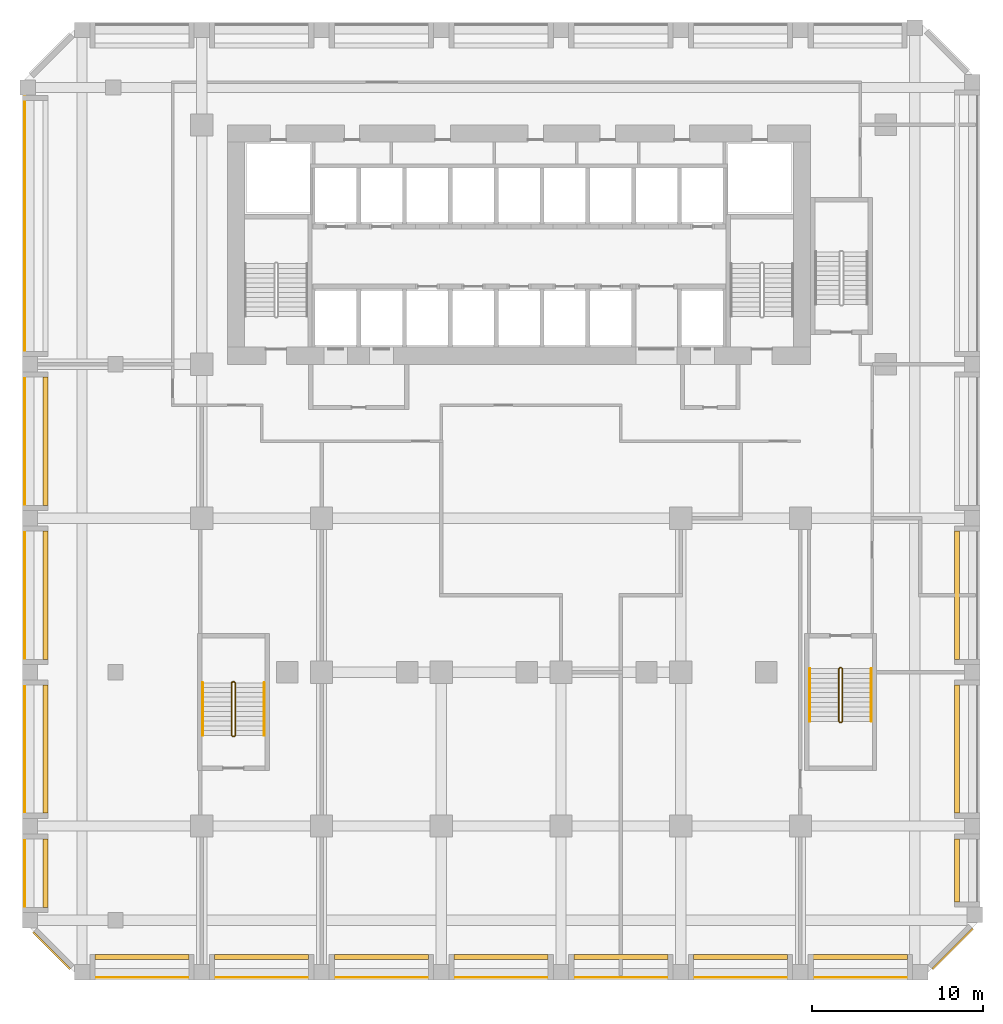
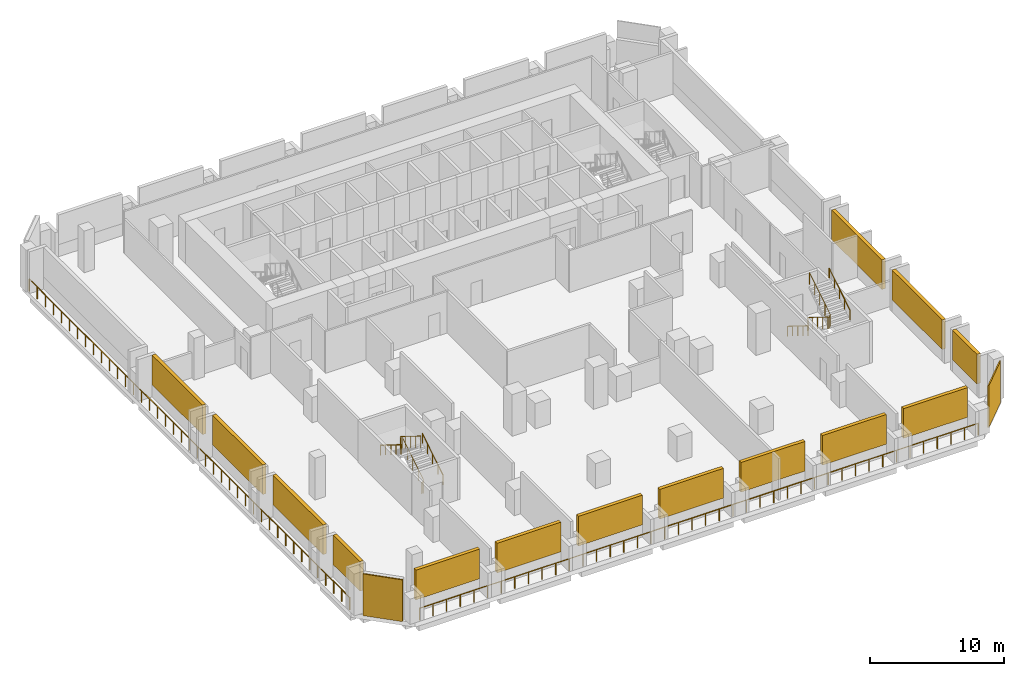
# One storey, part 8 of 10: 16 shading devices, 8 railings.
"""IFC4 building model written with IfcOpenShell, lengths in metres."""

from ifc_helpers import new_model, si_unit, direction, frame, origin, origin_2d, place, context, subcontext, project, spatial, rectangle, circle, extrude, source, transform, mapped, material, layer, layer_set, type_object, element, save


model = new_model("IFC4")

# Units and contexts
model_context = context("Model", 3, precision=1e-05, world=origin(), true_north=direction((0.0, 1.0)))
body_context = subcontext(model_context, "Body", "Model", "MODEL_VIEW")
ifc_project = project(units=[si_unit("LENGTHUNIT", "METRE"), si_unit("AREAUNIT", "SQUARE_METRE"), si_unit("VOLUMEUNIT", "CUBIC_METRE"), si_unit("PLANEANGLEUNIT", "RADIAN"), si_unit("MASSUNIT", "GRAM", prefix="KILO")], contexts=[model_context])

# Site, building, storey
site_placement = place(None, origin())
site = spatial("IfcSite", under=ifc_project, at=site_placement, CompositionType="ELEMENT")
building_placement = place(site_placement, origin())
building = spatial("IfcBuilding", under=site, at=building_placement, Name="Kilnfold Tower and Market Hall", CompositionType="ELEMENT")
storey_placement = place(building_placement, frame((0.0, 0.0, 59.0)))
storey = spatial("IfcBuildingStorey", under=building, at=storey_placement, Name="L13 Plant Transfer Level", CompositionType="ELEMENT", Elevation=59.0)

# Railings
ifc_material_1 = material(Name="Stainless steel 316", Category="steel")
railing_type_1 = type_object("IfcRailingType", Name="CORE STAIR GUARD 1100", PredefinedType="GUARDRAIL", material=ifc_material_1)
railing_1_placement = place(storey_placement, frame((-15.699951171875, -13.75, 0.0)))
element("IfcRailing", 1, at=railing_1_placement, inside=storey, type_object=railing_type_1, Name="L13 Plant Transfer Level ST3 stair guard 1", PredefinedType="GUARDRAIL", context=body_context, shape_type="SweptSolid", body=[
    extrude(circle(Radius=0.02392578125, at=origin_2d()), frame((0.0, 0.0, 1.076171875), z_axis=(1.0, 0.0, 0.0), x_axis=(0.0, 1.0, 0.0)), (0.0, 0.0, 1.0), 0.099853515625),
    extrude(circle(Radius=0.02392578125, at=origin_2d()), frame((0.099853515625, 0.0, 1.076171875), z_axis=(0.265065253269, 0.265065253269, 0.927081885822), x_axis=(-0.707106781187, 0.707106781187, 0.0)), (0.0, 0.0, 1.0), 0.188720703125),
    extrude(circle(Radius=0.02392578125, at=origin_2d()), frame((0.14990234375, 0.050048828125, 1.2509765625), z_axis=(0.0, 0.847979421464, 0.530029150871), x_axis=(-1.0, 0.0, 0.0)), (0.0, 0.0, 1.0), 3.632080078125),
    extrude(circle(Radius=0.02392578125, at=origin_2d()), frame((0.14990234375, 3.1298828125, 3.17626953125), z_axis=(-0.707106781187, 0.707106781187, 0.0), x_axis=(-0.707106781187, -0.707106781187, 0.0)), (0.0, 0.0, 1.0), 0.07080078125),
    extrude(circle(Radius=0.02392578125, at=origin_2d()), frame((0.099853515625, 3.179931640625, 3.17626953125), z_axis=(-1.0, 0.0, 0.0), x_axis=(0.0, -1.0, 0.0)), (0.0, 0.0, 1.0), 0.099853515625),
    extrude(circle(Radius=0.02392578125, at=origin_2d()), frame((0.0, 3.179931640625, 3.17626953125), z_axis=(-0.265383341853, -0.265383341853, 0.926899867156), x_axis=(0.707106781187, -0.707106781187, 0.0)), (0.0, 0.0, 1.0), 0.1884765625),
    extrude(circle(Radius=0.02392578125, at=origin_2d()), frame((-0.050048828125, 3.1298828125, 3.35107421875), z_axis=(0.0, -0.847979421464, 0.530029150871), x_axis=(1.0, 0.0, 0.0)), (0.0, 0.0, 1.0), 3.632080078125),
    extrude(circle(Radius=0.02099609375, at=origin_2d()), origin(), (0.0, 0.0, 1.0), 1.052001953125),
    extrude(circle(Radius=0.02099609375, at=origin_2d()), frame((0.099853515625, 0.0, 0.0)), (0.0, 0.0, 1.0), 1.052001953125),
    extrude(circle(Radius=0.02099609375, at=origin_2d()), frame((0.14990234375, 0.050048828125, 0.175048828125)), (0.0, 0.0, 1.0), 1.052001953125),
    extrude(circle(Radius=0.02099609375, at=origin_2d()), frame((0.14990234375, 0.820068359375, 0.65625)), (0.0, 0.0, 1.0), 1.052001953125),
    extrude(circle(Radius=0.02099609375, at=origin_2d()), frame((0.14990234375, 1.58984375, 1.1376953125)), (0.0, 0.0, 1.0), 1.052001953125),
    extrude(circle(Radius=0.02099609375, at=origin_2d()), frame((0.14990234375, 2.35986328125, 1.618896484375)), (0.0, 0.0, 1.0), 1.052001953125),
    extrude(circle(Radius=0.02099609375, at=origin_2d()), frame((0.14990234375, 3.1298828125, 2.10009765625)), (0.0, 0.0, 1.0), 1.052001953125),
    extrude(circle(Radius=0.02099609375, at=origin_2d()), frame((0.099853515625, 3.179931640625, 2.10009765625)), (0.0, 0.0, 1.0), 1.052001953125),
    extrude(circle(Radius=0.02099609375, at=origin_2d()), frame((0.0, 3.179931640625, 2.10009765625)), (0.0, 0.0, 1.0), 1.052001953125),
    extrude(circle(Radius=0.02099609375, at=origin_2d()), frame((-0.050048828125, 3.1298828125, 2.27490234375)), (0.0, 0.0, 1.0), 1.052001953125),
    extrude(circle(Radius=0.02099609375, at=origin_2d()), frame((-0.050048828125, 2.35986328125, 2.756103515625)), (0.0, 0.0, 1.0), 1.052001953125),
    extrude(circle(Radius=0.02099609375, at=origin_2d()), frame((-0.050048828125, 1.58984375, 3.2373046875)), (0.0, 0.0, 1.0), 1.052001953125),
    extrude(circle(Radius=0.02099609375, at=origin_2d()), frame((-0.050048828125, 0.820068359375, 3.71875)), (0.0, 0.0, 1.0), 1.052001953125),
    extrude(circle(Radius=0.02099609375, at=origin_2d()), frame((-0.050048828125, 0.050048828125, 4.199951171875)), (0.0, 0.0, 1.0), 1.052001953125),
])
railing_2_placement = place(storey_placement, frame((19.89990234375, -9.75, 0.0)))
element("IfcRailing", 2, at=railing_2_placement, inside=storey, type_object=railing_type_1, Name="L13 Plant Transfer Level ST4 stair guard 1", PredefinedType="GUARDRAIL", context=body_context, shape_type="SweptSolid", body=[
    extrude(circle(Radius=0.02392578125, at=origin_2d()), frame((0.0, 0.0, 1.076171875), z_axis=(-1.0, 0.0, 0.0), x_axis=(0.0, -1.0, 0.0)), (0.0, 0.0, 1.0), 0.099853515625),
    extrude(circle(Radius=0.02392578125, at=origin_2d()), frame((-0.099853515625, 0.0, 1.076171875), z_axis=(-0.265065253269, -0.265065253269, 0.927081885822), x_axis=(0.707106781187, -0.707106781187, 0.0)), (0.0, 0.0, 1.0), 0.188720703125),
    extrude(circle(Radius=0.02392578125, at=origin_2d()), frame((-0.14990234375, -0.050048828125, 1.2509765625), z_axis=(0.0, -0.847979421464, 0.530029150871), x_axis=(1.0, 0.0, 0.0)), (0.0, 0.0, 1.0), 3.632080078125),
    extrude(circle(Radius=0.02392578125, at=origin_2d()), frame((-0.14990234375, -3.1298828125, 3.17626953125), z_axis=(0.707106781187, -0.707106781187, 0.0), x_axis=(0.707106781187, 0.707106781187, 0.0)), (0.0, 0.0, 1.0), 0.07080078125),
    extrude(circle(Radius=0.02392578125, at=origin_2d()), frame((-0.099853515625, -3.179931640625, 3.17626953125), z_axis=(1.0, 0.0, 0.0), x_axis=(0.0, 1.0, 0.0)), (0.0, 0.0, 1.0), 0.099853515625),
    extrude(circle(Radius=0.02392578125, at=origin_2d()), frame((0.0, -3.179931640625, 3.17626953125), z_axis=(0.265383341853, 0.265383341853, 0.926899867156), x_axis=(-0.707106781187, 0.707106781187, 0.0)), (0.0, 0.0, 1.0), 0.1884765625),
    extrude(circle(Radius=0.02392578125, at=origin_2d()), frame((0.050048828125, -3.1298828125, 3.35107421875), z_axis=(0.0, 0.847979421464, 0.530029150871), x_axis=(-1.0, 0.0, 0.0)), (0.0, 0.0, 1.0), 3.632080078125),
    extrude(circle(Radius=0.02099609375, at=origin_2d()), origin(), (0.0, 0.0, 1.0), 1.052001953125),
    extrude(circle(Radius=0.02099609375, at=origin_2d()), frame((-0.099853515625, 0.0, 0.0)), (0.0, 0.0, 1.0), 1.052001953125),
    extrude(circle(Radius=0.02099609375, at=origin_2d()), frame((-0.14990234375, -0.050048828125, 0.175048828125)), (0.0, 0.0, 1.0), 1.052001953125),
    extrude(circle(Radius=0.02099609375, at=origin_2d()), frame((-0.14990234375, -0.820068359375, 0.65625)), (0.0, 0.0, 1.0), 1.052001953125),
    extrude(circle(Radius=0.02099609375, at=origin_2d()), frame((-0.14990234375, -1.58984375, 1.1376953125)), (0.0, 0.0, 1.0), 1.052001953125),
    extrude(circle(Radius=0.02099609375, at=origin_2d()), frame((-0.14990234375, -2.35986328125, 1.618896484375)), (0.0, 0.0, 1.0), 1.052001953125),
    extrude(circle(Radius=0.02099609375, at=origin_2d()), frame((-0.14990234375, -3.1298828125, 2.10009765625)), (0.0, 0.0, 1.0), 1.052001953125),
    extrude(circle(Radius=0.02099609375, at=origin_2d()), frame((-0.099853515625, -3.179931640625, 2.10009765625)), (0.0, 0.0, 1.0), 1.052001953125),
    extrude(circle(Radius=0.02099609375, at=origin_2d()), frame((0.0, -3.179931640625, 2.10009765625)), (0.0, 0.0, 1.0), 1.052001953125),
    extrude(circle(Radius=0.02099609375, at=origin_2d()), frame((0.050048828125, -3.1298828125, 2.27490234375)), (0.0, 0.0, 1.0), 1.052001953125),
    extrude(circle(Radius=0.02099609375, at=origin_2d()), frame((0.050048828125, -2.35986328125, 2.756103515625)), (0.0, 0.0, 1.0), 1.052001953125),
    extrude(circle(Radius=0.02099609375, at=origin_2d()), frame((0.050048828125, -1.58984375, 3.2373046875)), (0.0, 0.0, 1.0), 1.052001953125),
    extrude(circle(Radius=0.02099609375, at=origin_2d()), frame((0.050048828125, -0.820068359375, 3.71875)), (0.0, 0.0, 1.0), 1.052001953125),
    extrude(circle(Radius=0.02099609375, at=origin_2d()), frame((0.050048828125, -0.050048828125, 4.199951171875)), (0.0, 0.0, 1.0), 1.052001953125),
])
ifc_material_2 = material(Name="Stainless steel 316", Category="steel")
railing_type_2 = type_object("IfcRailingType", Name="CORE STAIR HANDRAIL 900", PredefinedType="HANDRAIL", material=ifc_material_2)
railing_3_placement = place(storey_placement, frame((-13.85009765625, -13.699951171875, 0.175048828125)))
element("IfcRailing", 3, at=railing_3_placement, inside=storey, type_object=railing_type_2, Name="L13 Plant Transfer Level ST3 stair handrail 1", PredefinedType="HANDRAIL", context=body_context, shape_type="SweptSolid", body=[
    extrude(circle(Radius=0.02392578125, at=origin_2d()), frame((0.0, 0.0, 0.8759765625), z_axis=(0.0, 0.847979421464, 0.530029150871), x_axis=(-1.0, 0.0, 0.0)), (0.0, 0.0, 1.0), 3.632080078125),
    extrude(circle(Radius=0.02099609375, at=origin_2d()), origin(), (0.0, 0.0, 1.0), 0.851806640625),
    extrude(circle(Radius=0.02099609375, at=origin_2d()), frame((0.0, 0.77001953125, 0.481201171875)), (0.0, 0.0, 1.0), 0.851806640625),
    extrude(circle(Radius=0.02099609375, at=origin_2d()), frame((0.0, 1.5400390625, 0.96240234375)), (0.0, 0.0, 1.0), 0.851806640625),
    extrude(circle(Radius=0.02099609375, at=origin_2d()), frame((0.0, 2.309814453125, 1.44384765625)), (0.0, 0.0, 1.0), 0.851806640625),
    extrude(circle(Radius=0.02099609375, at=origin_2d()), frame((0.0, 3.079833984375, 1.925048828125)), (0.0, 0.0, 1.0), 0.851806640625),
])
for number, where, name in (
    (4, (-17.449951171875, -10.6201171875, 2.27490234375), "L13 Plant Transfer Level ST3 stair handrail 2"),
    (5, (18.050048828125, -9.800048828125, 0.175048828125), "L13 Plant Transfer Level ST4 stair handrail 1"),
):
    element("IfcRailing", number, at=place(storey_placement, frame(where)), inside=storey, type_object=railing_type_2, Name=name, PredefinedType="HANDRAIL", context=body_context, shape_type="SweptSolid", body=[
        extrude(circle(Radius=0.02392578125, at=origin_2d()), frame((0.0, 0.0, 0.8759765625), z_axis=(0.0, -0.847979421464, 0.530029150871), x_axis=(1.0, 0.0, 0.0)), (0.0, 0.0, 1.0), 3.632080078125),
        extrude(circle(Radius=0.02099609375, at=origin_2d()), origin(), (0.0, 0.0, 1.0), 0.851806640625),
        extrude(circle(Radius=0.02099609375, at=origin_2d()), frame((0.0, -0.77001953125, 0.481201171875)), (0.0, 0.0, 1.0), 0.851806640625),
        extrude(circle(Radius=0.02099609375, at=origin_2d()), frame((0.0, -1.5400390625, 0.96240234375)), (0.0, 0.0, 1.0), 0.851806640625),
        extrude(circle(Radius=0.02099609375, at=origin_2d()), frame((0.0, -2.309814453125, 1.44384765625)), (0.0, 0.0, 1.0), 0.851806640625),
        extrude(circle(Radius=0.02099609375, at=origin_2d()), frame((0.0, -3.079833984375, 1.925048828125)), (0.0, 0.0, 1.0), 0.851806640625),
    ])
railing_4_placement = place(storey_placement, frame((21.64990234375, -12.8798828125, 2.27490234375)))
element("IfcRailing", 6, at=railing_4_placement, inside=storey, type_object=railing_type_2, Name="L13 Plant Transfer Level ST4 stair handrail 2", PredefinedType="HANDRAIL", context=body_context, shape_type="SweptSolid", body=[
    extrude(circle(Radius=0.02392578125, at=origin_2d()), frame((0.0, 0.0, 0.8759765625), z_axis=(0.0, 0.847979421464, 0.530029150871), x_axis=(-1.0, 0.0, 0.0)), (0.0, 0.0, 1.0), 3.632080078125),
    extrude(circle(Radius=0.02099609375, at=origin_2d()), origin(), (0.0, 0.0, 1.0), 0.851806640625),
    extrude(circle(Radius=0.02099609375, at=origin_2d()), frame((0.0, 0.77001953125, 0.481201171875)), (0.0, 0.0, 1.0), 0.851806640625),
    extrude(circle(Radius=0.02099609375, at=origin_2d()), frame((0.0, 1.5400390625, 0.96240234375)), (0.0, 0.0, 1.0), 0.851806640625),
    extrude(circle(Radius=0.02099609375, at=origin_2d()), frame((0.0, 2.309814453125, 1.44384765625)), (0.0, 0.0, 1.0), 0.851806640625),
    extrude(circle(Radius=0.02099609375, at=origin_2d()), frame((0.0, 3.079833984375, 1.925048828125)), (0.0, 0.0, 1.0), 0.851806640625),
])
ifc_material_3 = material(Name="Stainless steel and laminated glass", Category="steel")
railing_type_3 = type_object("IfcRailingType", Name="GUARD 1100", PredefinedType="GUARDRAIL", material=ifc_material_3)
railing_5_placement = place(storey_placement, frame((-24.050048828125, -27.85009765625, 0.0)))
element("IfcRailing", 7, at=railing_5_placement, inside=storey, type_object=railing_type_3, Name="Guard plant edge S L13", PredefinedType="GUARDRAIL", context=body_context, shape_type="SweptSolid", body=[
    extrude(circle(Radius=0.02490234375, at=origin_2d()), frame((0.0, 0.0, 1.0751953125), z_axis=(1.0, 0.0, 0.0), x_axis=(0.0, 1.0, 0.0)), (0.0, 0.0, 1.0), 48.10009765625),
    extrude(circle(Radius=0.02490234375, at=origin_2d()), origin(), (0.0, 0.0, 1.0), 1.050048828125),
    extrude(circle(Radius=0.02490234375, at=origin_2d()), frame((1.173095703125, 0.0, 0.0)), (0.0, 0.0, 1.0), 1.050048828125),
    extrude(circle(Radius=0.02490234375, at=origin_2d()), frame((2.346435546875, 0.0, 0.0)), (0.0, 0.0, 1.0), 1.050048828125),
    extrude(circle(Radius=0.02490234375, at=origin_2d()), frame((3.51953125, 0.0, 0.0)), (0.0, 0.0, 1.0), 1.050048828125),
    extrude(circle(Radius=0.02490234375, at=origin_2d()), frame((4.692626953125, 0.0, 0.0)), (0.0, 0.0, 1.0), 1.050048828125),
    extrude(circle(Radius=0.02490234375, at=origin_2d()), frame((5.865966796875, 0.0, 0.0)), (0.0, 0.0, 1.0), 1.050048828125),
    extrude(circle(Radius=0.02490234375, at=origin_2d()), frame((7.0390625, 0.0, 0.0)), (0.0, 0.0, 1.0), 1.050048828125),
    extrude(circle(Radius=0.02490234375, at=origin_2d()), frame((8.212158203125, 0.0, 0.0)), (0.0, 0.0, 1.0), 1.050048828125),
    extrude(circle(Radius=0.02490234375, at=origin_2d()), frame((9.385498046875, 0.0, 0.0)), (0.0, 0.0, 1.0), 1.050048828125),
    extrude(circle(Radius=0.02490234375, at=origin_2d()), frame((10.55859375, 0.0, 0.0)), (0.0, 0.0, 1.0), 1.050048828125),
    extrude(circle(Radius=0.02490234375, at=origin_2d()), frame((11.731689453125, 0.0, 0.0)), (0.0, 0.0, 1.0), 1.050048828125),
    extrude(circle(Radius=0.02490234375, at=origin_2d()), frame((12.90478515625, 0.0, 0.0)), (0.0, 0.0, 1.0), 1.050048828125),
    extrude(circle(Radius=0.02490234375, at=origin_2d()), frame((14.078125, 0.0, 0.0)), (0.0, 0.0, 1.0), 1.050048828125),
    extrude(circle(Radius=0.02490234375, at=origin_2d()), frame((15.251220703125, 0.0, 0.0)), (0.0, 0.0, 1.0), 1.050048828125),
    extrude(circle(Radius=0.02490234375, at=origin_2d()), frame((16.42431640625, 0.0, 0.0)), (0.0, 0.0, 1.0), 1.050048828125),
    extrude(circle(Radius=0.02490234375, at=origin_2d()), frame((17.59765625, 0.0, 0.0)), (0.0, 0.0, 1.0), 1.050048828125),
    extrude(circle(Radius=0.02490234375, at=origin_2d()), frame((18.770751953125, 0.0, 0.0)), (0.0, 0.0, 1.0), 1.050048828125),
    extrude(circle(Radius=0.02490234375, at=origin_2d()), frame((19.94384765625, 0.0, 0.0)), (0.0, 0.0, 1.0), 1.050048828125),
    extrude(circle(Radius=0.02490234375, at=origin_2d()), frame((21.1171875, 0.0, 0.0)), (0.0, 0.0, 1.0), 1.050048828125),
    extrude(circle(Radius=0.02490234375, at=origin_2d()), frame((22.290283203125, 0.0, 0.0)), (0.0, 0.0, 1.0), 1.050048828125),
    extrude(circle(Radius=0.02490234375, at=origin_2d()), frame((23.46337890625, 0.0, 0.0)), (0.0, 0.0, 1.0), 1.050048828125),
    extrude(circle(Radius=0.02490234375, at=origin_2d()), frame((24.63671875, 0.0, 0.0)), (0.0, 0.0, 1.0), 1.050048828125),
    extrude(circle(Radius=0.02490234375, at=origin_2d()), frame((25.809814453125, 0.0, 0.0)), (0.0, 0.0, 1.0), 1.050048828125),
    extrude(circle(Radius=0.02490234375, at=origin_2d()), frame((26.98291015625, 0.0, 0.0)), (0.0, 0.0, 1.0), 1.050048828125),
    extrude(circle(Radius=0.02490234375, at=origin_2d()), frame((28.15625, 0.0, 0.0)), (0.0, 0.0, 1.0), 1.050048828125),
    extrude(circle(Radius=0.02490234375, at=origin_2d()), frame((29.329345703125, 0.0, 0.0)), (0.0, 0.0, 1.0), 1.050048828125),
    extrude(circle(Radius=0.02490234375, at=origin_2d()), frame((30.50244140625, 0.0, 0.0)), (0.0, 0.0, 1.0), 1.050048828125),
    extrude(circle(Radius=0.02490234375, at=origin_2d()), frame((31.67578125, 0.0, 0.0)), (0.0, 0.0, 1.0), 1.050048828125),
    extrude(circle(Radius=0.02490234375, at=origin_2d()), frame((32.848876953125, 0.0, 0.0)), (0.0, 0.0, 1.0), 1.050048828125),
    extrude(circle(Radius=0.02490234375, at=origin_2d()), frame((34.02197265625, 0.0, 0.0)), (0.0, 0.0, 1.0), 1.050048828125),
    extrude(circle(Radius=0.02490234375, at=origin_2d()), frame((35.1953125, 0.0, 0.0)), (0.0, 0.0, 1.0), 1.050048828125),
    extrude(circle(Radius=0.02490234375, at=origin_2d()), frame((36.368408203125, 0.0, 0.0)), (0.0, 0.0, 1.0), 1.050048828125),
    extrude(circle(Radius=0.02490234375, at=origin_2d()), frame((37.54150390625, 0.0, 0.0)), (0.0, 0.0, 1.0), 1.050048828125),
    extrude(circle(Radius=0.02490234375, at=origin_2d()), frame((38.714599609375, 0.0, 0.0)), (0.0, 0.0, 1.0), 1.050048828125),
    extrude(circle(Radius=0.02490234375, at=origin_2d()), frame((39.887939453125, 0.0, 0.0)), (0.0, 0.0, 1.0), 1.050048828125),
    extrude(circle(Radius=0.02490234375, at=origin_2d()), frame((41.06103515625, 0.0, 0.0)), (0.0, 0.0, 1.0), 1.050048828125),
    extrude(circle(Radius=0.02490234375, at=origin_2d()), frame((42.234130859375, 0.0, 0.0)), (0.0, 0.0, 1.0), 1.050048828125),
    extrude(circle(Radius=0.02490234375, at=origin_2d()), frame((43.407470703125, 0.0, 0.0)), (0.0, 0.0, 1.0), 1.050048828125),
    extrude(circle(Radius=0.02490234375, at=origin_2d()), frame((44.58056640625, 0.0, 0.0)), (0.0, 0.0, 1.0), 1.050048828125),
    extrude(circle(Radius=0.02490234375, at=origin_2d()), frame((45.753662109375, 0.0, 0.0)), (0.0, 0.0, 1.0), 1.050048828125),
    extrude(circle(Radius=0.02490234375, at=origin_2d()), frame((46.927001953125, 0.0, 0.0)), (0.0, 0.0, 1.0), 1.050048828125),
    extrude(circle(Radius=0.02490234375, at=origin_2d()), frame((48.10009765625, 0.0, 0.0)), (0.0, 0.0, 1.0), 1.050048828125),
])
railing_6_placement = place(storey_placement, frame((-27.85009765625, 23.731689453125, 0.0)))
element("IfcRailing", 8, at=railing_6_placement, inside=storey, type_object=railing_type_3, Name="Guard plant edge W L13", PredefinedType="GUARDRAIL", context=body_context, shape_type="SweptSolid", body=[
    extrude(circle(Radius=0.02490234375, at=origin_2d()), frame((0.0, 0.0, 1.0751953125), z_axis=(0.0, -1.0, 0.0), x_axis=(1.0, 0.0, 0.0)), (0.0, 0.0, 1.0), 47.78173828125),
    extrude(circle(Radius=0.02490234375, at=origin_2d()), origin(), (0.0, 0.0, 1.0), 1.050048828125),
    extrude(circle(Radius=0.02490234375, at=origin_2d()), frame((0.0, -1.194580078125, 0.0)), (0.0, 0.0, 1.0), 1.050048828125),
    extrude(circle(Radius=0.02490234375, at=origin_2d()), frame((0.0, -2.38916015625, 0.0)), (0.0, 0.0, 1.0), 1.050048828125),
    extrude(circle(Radius=0.02490234375, at=origin_2d()), frame((0.0, -3.583740234375, 0.0)), (0.0, 0.0, 1.0), 1.050048828125),
    extrude(circle(Radius=0.02490234375, at=origin_2d()), frame((0.0, -4.778076171875, 0.0)), (0.0, 0.0, 1.0), 1.050048828125),
    extrude(circle(Radius=0.02490234375, at=origin_2d()), frame((0.0, -5.97265625, 0.0)), (0.0, 0.0, 1.0), 1.050048828125),
    extrude(circle(Radius=0.02490234375, at=origin_2d()), frame((0.0, -7.167236328125, 0.0)), (0.0, 0.0, 1.0), 1.050048828125),
    extrude(circle(Radius=0.02490234375, at=origin_2d()), frame((0.0, -8.36181640625, 0.0)), (0.0, 0.0, 1.0), 1.050048828125),
    extrude(circle(Radius=0.02490234375, at=origin_2d()), frame((0.0, -9.556396484375, 0.0)), (0.0, 0.0, 1.0), 1.050048828125),
    extrude(circle(Radius=0.02490234375, at=origin_2d()), frame((0.0, -10.7509765625, 0.0)), (0.0, 0.0, 1.0), 1.050048828125),
    extrude(circle(Radius=0.02490234375, at=origin_2d()), frame((0.0, -11.9453125, 0.0)), (0.0, 0.0, 1.0), 1.050048828125),
    extrude(circle(Radius=0.02490234375, at=origin_2d()), frame((0.0, -13.139892578125, 0.0)), (0.0, 0.0, 1.0), 1.050048828125),
    extrude(circle(Radius=0.02490234375, at=origin_2d()), frame((0.0, -14.33447265625, 0.0)), (0.0, 0.0, 1.0), 1.050048828125),
    extrude(circle(Radius=0.02490234375, at=origin_2d()), frame((0.0, -15.529052734375, 0.0)), (0.0, 0.0, 1.0), 1.050048828125),
    extrude(circle(Radius=0.02490234375, at=origin_2d()), frame((0.0, -16.7236328125, 0.0)), (0.0, 0.0, 1.0), 1.050048828125),
    extrude(circle(Radius=0.02490234375, at=origin_2d()), frame((0.0, -17.918212890625, 0.0)), (0.0, 0.0, 1.0), 1.050048828125),
    extrude(circle(Radius=0.02490234375, at=origin_2d()), frame((0.0, -19.11279296875, 0.0)), (0.0, 0.0, 1.0), 1.050048828125),
    extrude(circle(Radius=0.02490234375, at=origin_2d()), frame((0.0, -20.30712890625, 0.0)), (0.0, 0.0, 1.0), 1.050048828125),
    extrude(circle(Radius=0.02490234375, at=origin_2d()), frame((0.0, -21.501708984375, 0.0)), (0.0, 0.0, 1.0), 1.050048828125),
    extrude(circle(Radius=0.02490234375, at=origin_2d()), frame((0.0, -22.6962890625, 0.0)), (0.0, 0.0, 1.0), 1.050048828125),
    extrude(circle(Radius=0.02490234375, at=origin_2d()), frame((0.0, -23.890869140625, 0.0)), (0.0, 0.0, 1.0), 1.050048828125),
    extrude(circle(Radius=0.02490234375, at=origin_2d()), frame((0.0, -25.08544921875, 0.0)), (0.0, 0.0, 1.0), 1.050048828125),
    extrude(circle(Radius=0.02490234375, at=origin_2d()), frame((0.0, -26.280029296875, 0.0)), (0.0, 0.0, 1.0), 1.050048828125),
    extrude(circle(Radius=0.02490234375, at=origin_2d()), frame((0.0, -27.474609375, 0.0)), (0.0, 0.0, 1.0), 1.050048828125),
    extrude(circle(Radius=0.02490234375, at=origin_2d()), frame((0.0, -28.6689453125, 0.0)), (0.0, 0.0, 1.0), 1.050048828125),
    extrude(circle(Radius=0.02490234375, at=origin_2d()), frame((0.0, -29.863525390625, 0.0)), (0.0, 0.0, 1.0), 1.050048828125),
    extrude(circle(Radius=0.02490234375, at=origin_2d()), frame((0.0, -31.05810546875, 0.0)), (0.0, 0.0, 1.0), 1.050048828125),
    extrude(circle(Radius=0.02490234375, at=origin_2d()), frame((0.0, -32.252685546875, 0.0)), (0.0, 0.0, 1.0), 1.050048828125),
    extrude(circle(Radius=0.02490234375, at=origin_2d()), frame((0.0, -33.447265625, 0.0)), (0.0, 0.0, 1.0), 1.050048828125),
    extrude(circle(Radius=0.02490234375, at=origin_2d()), frame((0.0, -34.641845703125, 0.0)), (0.0, 0.0, 1.0), 1.050048828125),
    extrude(circle(Radius=0.02490234375, at=origin_2d()), frame((0.0, -35.83642578125, 0.0)), (0.0, 0.0, 1.0), 1.050048828125),
    extrude(circle(Radius=0.02490234375, at=origin_2d()), frame((0.0, -37.03076171875, 0.0)), (0.0, 0.0, 1.0), 1.050048828125),
    extrude(circle(Radius=0.02490234375, at=origin_2d()), frame((0.0, -38.225341796875, 0.0)), (0.0, 0.0, 1.0), 1.050048828125),
    extrude(circle(Radius=0.02490234375, at=origin_2d()), frame((0.0, -39.419921875, 0.0)), (0.0, 0.0, 1.0), 1.050048828125),
    extrude(circle(Radius=0.02490234375, at=origin_2d()), frame((0.0, -40.614501953125, 0.0)), (0.0, 0.0, 1.0), 1.050048828125),
    extrude(circle(Radius=0.02490234375, at=origin_2d()), frame((0.0, -41.80908203125, 0.0)), (0.0, 0.0, 1.0), 1.050048828125),
    extrude(circle(Radius=0.02490234375, at=origin_2d()), frame((0.0, -43.003662109375, 0.0)), (0.0, 0.0, 1.0), 1.050048828125),
    extrude(circle(Radius=0.02490234375, at=origin_2d()), frame((0.0, -44.197998046875, 0.0)), (0.0, 0.0, 1.0), 1.050048828125),
    extrude(circle(Radius=0.02490234375, at=origin_2d()), frame((0.0, -45.392578125, 0.0)), (0.0, 0.0, 1.0), 1.050048828125),
    extrude(circle(Radius=0.02490234375, at=origin_2d()), frame((0.0, -46.587158203125, 0.0)), (0.0, 0.0, 1.0), 1.050048828125),
    extrude(circle(Radius=0.02490234375, at=origin_2d()), frame((0.0, -47.78173828125, 0.0)), (0.0, 0.0, 1.0), 1.050048828125),
])

# Shading devices
ifc_material_4 = material(Name="Anodised aluminium", Category="aluminium")
shading_device_type_1 = type_object("IfcShadingDeviceType", Name="LOUVRE", PredefinedType="JALOUSIE", material=ifc_material_4)
shared_shape_1 = source(origin(), body_context, "Body", "SweptSolid", [
    extrude(rectangle(XDim=5.5, YDim=0.300048828125, at=origin_2d()), origin(), (0.0, 0.0, 1.0), 2.699951171875),
])
for number, where, z_axis, x_axis, name in (
    (9, (-21.0, -26.64990234375, 1.10009765625), (0.0, 0.0, 1.0), (1.0, 0.0, 0.0), "Plant louvre L13 S"),
    (10, (-14.0, -26.64990234375, 1.10009765625), (0.0, 0.0, 1.0), (1.0, 0.0, 0.0), "Plant louvre L13 S"),
    (11, (-7.0, -26.64990234375, 1.10009765625), (0.0, 0.0, 1.0), (1.0, 0.0, 0.0), "Plant louvre L13 S"),
    (12, (0.0, -26.64990234375, 1.10009765625), (0.0, 0.0, 1.0), (1.0, 0.0, 0.0), "Plant louvre L13 S"),
    (13, (7.0, -26.64990234375, 1.10009765625), (0.0, 0.0, 1.0), (1.0, 0.0, 0.0), "Plant louvre L13 S"),
    (14, (14.0, -26.64990234375, 1.10009765625), (0.0, 0.0, 1.0), (1.0, 0.0, 0.0), "Plant louvre L13 S"),
    (15, (21.0, -26.64990234375, 1.10009765625), (0.0, 0.0, 1.0), (1.0, 0.0, 0.0), "Plant louvre L13 S"),
):
    element("IfcShadingDevice", number, at=place(storey_placement, frame(where, z_axis=z_axis, x_axis=x_axis)), inside=storey, type_object=shading_device_type_1, Name=name, ObjectType="LOUVRE", PredefinedType="JALOUSIE", context=body_context, shape_type="MappedRepresentation", body=[
        mapped(shared_shape_1, transform((0.0, 0.0, 0.0))),
    ])
ifc_material_5 = material(Name="Terracotta", Category="masonry")
ifc_layer = layer(ifc_material_5, 0.10009765625)
ifc_layer_set = layer_set([ifc_layer], Name="Terracotta")
shading_device_type_2 = type_object("IfcShadingDeviceType", Name="TERRACOTTA SCREEN 100", PredefinedType="USERDEFINED", material=ifc_layer_set)
shared_shape_2 = source(origin(), body_context, "Body", "SweptSolid", [
    extrude(rectangle(XDim=3.35888671875, YDim=0.10009765625, at=origin_2d()), origin(), (0.0, 0.0, 1.0), 3.800048828125),
])
shading_device_1_placement = place(storey_placement, frame((26.39794921875, -26.1728515625, 0.0), z_axis=(0.0, 0.0, 1.0), x_axis=(0.707106781187, 0.707106781187, 0.0)))
element("IfcShadingDevice", 16, at=shading_device_1_placement, inside=storey, type_object=shading_device_type_2, Name="Plant screen L13 SE", ObjectType="SCREEN", PredefinedType="USERDEFINED", context=body_context, shape_type="MappedRepresentation", body=[
    mapped(shared_shape_2, transform((0.0, 0.0, 0.0))),
])
shared_shape_3 = source(origin(), body_context, "Body", "SweptSolid", [
    extrude(rectangle(XDim=3.681884765625, YDim=0.300048828125, at=origin_2d()), origin(), (0.0, 0.0, 1.0), 2.699951171875),
])
shading_device_2_placement = place(storey_placement, frame((26.64990234375, -21.5908203125, 1.10009765625), z_axis=(0.0, 0.0, 1.0), x_axis=(0.0, 1.0, 0.0)))
element("IfcShadingDevice", 17, at=shading_device_2_placement, inside=storey, type_object=shading_device_type_1, Name="Plant louvre L13 E", ObjectType="LOUVRE", PredefinedType="JALOUSIE", context=body_context, shape_type="MappedRepresentation", body=[
    mapped(shared_shape_3, transform((0.0, 0.0, 0.0))),
])
shared_shape_4 = source(origin(), body_context, "Body", "SweptSolid", [
    extrude(rectangle(XDim=7.5, YDim=0.300048828125, at=origin_2d()), origin(), (0.0, 0.0, 1.0), 2.699951171875),
])
for number, where, z_axis, x_axis, name in (
    (18, (26.64990234375, -14.5, 1.10009765625), (0.0, 0.0, 1.0), (0.0, 1.0, 0.0), "Plant louvre L13 E"),
    (19, (26.64990234375, -5.5, 1.10009765625), (0.0, 0.0, 1.0), (0.0, 1.0, 0.0), "Plant louvre L13 E"),
    (20, (-26.64990234375, 3.5, 1.10009765625), (0.0, 0.0, 1.0), (0.0, -1.0, 0.0), "Plant louvre L13 W"),
    (21, (-26.64990234375, -5.5, 1.10009765625), (0.0, 0.0, 1.0), (0.0, -1.0, 0.0), "Plant louvre L13 W"),
    (22, (-26.64990234375, -14.5, 1.10009765625), (0.0, 0.0, 1.0), (0.0, -1.0, 0.0), "Plant louvre L13 W"),
):
    element("IfcShadingDevice", number, at=place(storey_placement, frame(where, z_axis=z_axis, x_axis=x_axis)), inside=storey, type_object=shading_device_type_1, Name=name, ObjectType="LOUVRE", PredefinedType="JALOUSIE", context=body_context, shape_type="MappedRepresentation", body=[
        mapped(shared_shape_4, transform((0.0, 0.0, 0.0))),
    ])
shared_shape_5 = source(origin(), body_context, "Body", "SweptSolid", [
    extrude(rectangle(XDim=4.0, YDim=0.300048828125, at=origin_2d()), origin(), (0.0, 0.0, 1.0), 2.699951171875),
])
shading_device_3_placement = place(storey_placement, frame((-26.64990234375, -21.75, 1.10009765625), z_axis=(0.0, 0.0, 1.0), x_axis=(0.0, -1.0, 0.0)))
element("IfcShadingDevice", 23, at=shading_device_3_placement, inside=storey, type_object=shading_device_type_1, Name="Plant louvre L13 W", ObjectType="LOUVRE", PredefinedType="JALOUSIE", context=body_context, shape_type="MappedRepresentation", body=[
    mapped(shared_shape_5, transform((0.0, 0.0, 0.0))),
])
shared_shape_6 = source(origin(), body_context, "Body", "SweptSolid", [
    extrude(rectangle(XDim=3.04052734375, YDim=0.10009765625, at=origin_2d()), origin(), (0.0, 0.0, 1.0), 3.800048828125),
])
shading_device_4_placement = place(storey_placement, frame((-26.285400390625, -26.285400390625, 0.0), z_axis=(0.0, 0.0, 1.0), x_axis=(0.707106781187, -0.707106781187, 0.0)))
element("IfcShadingDevice", 24, at=shading_device_4_placement, inside=storey, type_object=shading_device_type_2, Name="Plant screen L13 SW", ObjectType="SCREEN", PredefinedType="USERDEFINED", context=body_context, shape_type="MappedRepresentation", body=[
    mapped(shared_shape_6, transform((0.0, 0.0, 0.0))),
])

save(model, "model.ifc")
